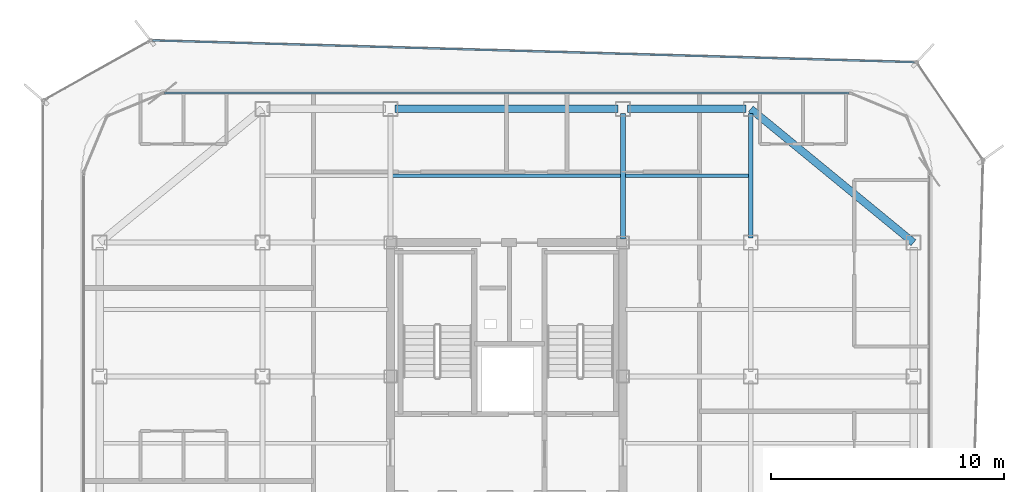
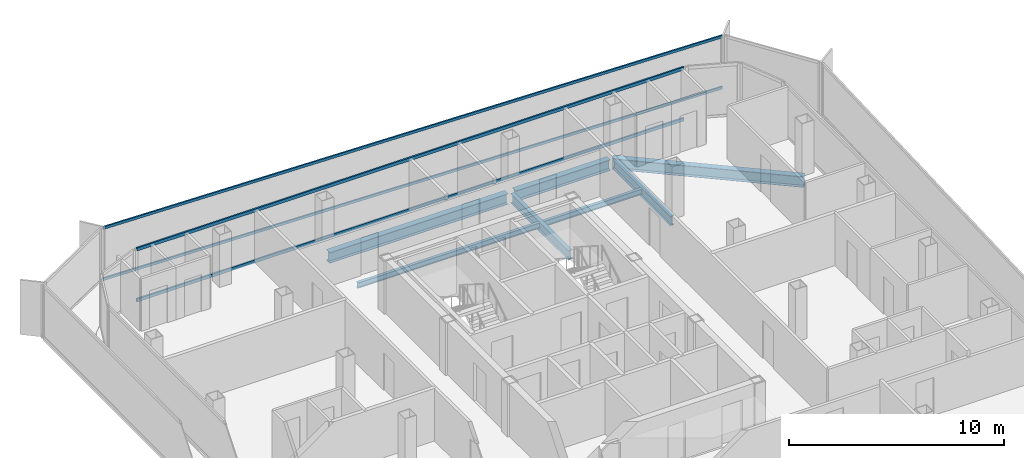
# One storey, part 7 of 14: 7 beams, 4 members, 2 elements without a shape of their own.
"""IFC4 building model written with IfcOpenShell, lengths in metres."""

from ifc_helpers import new_model, si_unit, direction, frame, origin, origin_2d, place, context, subcontext, project, spatial, hollow_rectangle, i_section, extrude, source, transform, mapped, material, layer, layer_set, material_profile, profile_set, type_object, element, aggregate, save


model = new_model("IFC4")

# Units and contexts
model_context = context("Model", 3, precision=1e-05, world=origin(), true_north=direction((0.0, 1.0)))
body_context = subcontext(model_context, "Body", "Model", "MODEL_VIEW")
ifc_project = project(units=[si_unit("LENGTHUNIT", "METRE"), si_unit("AREAUNIT", "SQUARE_METRE"), si_unit("VOLUMEUNIT", "CUBIC_METRE"), si_unit("PLANEANGLEUNIT", "RADIAN"), si_unit("MASSUNIT", "GRAM", prefix="KILO")], contexts=[model_context])

# Site, building, storey
site_placement = place(None, origin())
site = spatial("IfcSite", under=ifc_project, at=site_placement, CompositionType="ELEMENT")
building_placement = place(site_placement, origin())
building = spatial("IfcBuilding", under=site, at=building_placement, Name="Kolveth Station Tower", CompositionType="ELEMENT")
storey_placement = place(building_placement, frame((0.0, 0.0, 226.5)))
storey = spatial("IfcBuildingStorey", under=building, at=storey_placement, Name="L64", CompositionType="ELEMENT", Elevation=226.5)

# Beams
ifc_material_1 = material(Name="Steel S355", Category="steel")
ifc_material_profile_1 = material_profile(ifc_material_1, i_section(OverallWidth=0.323974609375, OverallDepth=0.611083984375, WebThickness=0.0126953125, FlangeThickness=0.01904296875, at=origin_2d()), Name="W610x155")
ifc_profile_set_1 = profile_set([ifc_material_profile_1], Name="Steel S355")
beam_type_1 = type_object("IfcBeamType", Name="Beam_SP2", PredefinedType="SPANDREL", material=ifc_profile_set_1)
shared_shape_1 = source(origin(), body_context, "Body", "SweptSolid", [
    extrude(i_section(OverallWidth=0.323974609375, OverallDepth=0.611083984375, WebThickness=0.0126953125, FlangeThickness=0.01904296875, at=origin_2d()), origin(), (0.0, 0.0, 1.0), 9.058837890625),
])
beam_1_placement = place(storey_placement, frame((41.0, 28.75, -0.525390625), z_axis=(-0.772726254525, 0.63473942336, 0.0), x_axis=(-0.63473942336, -0.772726254525, 0.0)))
element("IfcBeam", 1, at=beam_1_placement, inside=storey, type_object=beam_type_1, Name="L64 Corner Edge Girder BM-L64-CNR-NE", PredefinedType="SPANDREL", context=body_context, shape_type="MappedRepresentation", body=[
    mapped(shared_shape_1, transform((0.0, 0.0, 0.0), x_axis=(1.0, 0.0, 0.0), y_axis=(0.0, 1.0, 0.0), z_axis=(0.0, 0.0, 1.0), scale=1.0)),
])
shared_shape_2 = source(origin(), body_context, "Body", "SweptSolid", [
    extrude(i_section(OverallWidth=0.323974609375, OverallDepth=0.611083984375, WebThickness=0.0126953125, FlangeThickness=0.01904296875, at=origin_2d()), origin(), (0.0, 0.0, 1.0), 5.10009765625),
])
beam_2_placement = place(storey_placement, frame((28.699951171875, 34.5, -0.525390625), z_axis=(1.0, 0.0, 0.0), x_axis=(0.0, 1.0, 0.0)))
element("IfcBeam", 2, at=beam_2_placement, inside=storey, type_object=beam_type_1, Name="L64 Perimeter Spandrel BM-L64-PN-3", PredefinedType="SPANDREL", context=body_context, shape_type="MappedRepresentation", body=[
    mapped(shared_shape_2, transform((0.0, 0.0, 0.0), x_axis=(1.0, 0.0, 0.0), y_axis=(0.0, 1.0, 0.0), z_axis=(0.0, 0.0, 1.0), scale=1.0)),
])
shared_shape_3 = source(origin(), body_context, "Body", "SweptSolid", [
    extrude(i_section(OverallWidth=0.323974609375, OverallDepth=0.611083984375, WebThickness=0.0126953125, FlangeThickness=0.01904296875, at=origin_2d()), origin(), (0.0, 0.0, 1.0), 9.60009765625),
])
beam_3_placement = place(storey_placement, frame((18.699951171875, 34.5, -0.525390625), z_axis=(1.0, 0.0, 0.0), x_axis=(0.0, 1.0, 0.0)))
element("IfcBeam", 3, at=beam_3_placement, inside=storey, type_object=beam_type_1, Name="L64 Perimeter Spandrel BM-L64-PN-2", PredefinedType="SPANDREL", context=body_context, shape_type="MappedRepresentation", body=[
    mapped(shared_shape_3, transform((0.0, 0.0, 0.0), x_axis=(1.0, 0.0, 0.0), y_axis=(0.0, 1.0, 0.0), z_axis=(0.0, 0.0, 1.0), scale=1.0)),
])
ifc_material_profile_2 = material_profile(ifc_material_1, i_section(OverallWidth=0.2099609375, OverallDepth=0.537109375, WebThickness=0.010986328125, FlangeThickness=0.017333984375, at=origin_2d()), Name="W530x101")
ifc_profile_set_2 = profile_set([ifc_material_profile_2], Name="Steel S355")
beam_type_2 = type_object("IfcBeamType", Name="Beam_B6", PredefinedType="BEAM", material=ifc_profile_set_2)
shared_shape_4 = source(origin(), body_context, "Body", "SweptSolid", [
    extrude(i_section(OverallWidth=0.2099609375, OverallDepth=0.537109375, WebThickness=0.010986328125, FlangeThickness=0.017333984375, at=origin_2d()), origin(), (0.0, 0.0, 1.0), 5.35009765625),
])
beam_4_placement = place(storey_placement, frame((34.0, 28.949951171875, -0.488525390625), z_axis=(0.0, 1.0, 0.0), x_axis=(-1.0, 0.0, 0.0)))
element("IfcBeam", 4, at=beam_4_placement, inside=storey, type_object=beam_type_2, Name="L64 Primary Girder BM-L64-GX340-6", PredefinedType="BEAM", context=body_context, shape_type="MappedRepresentation", body=[
    mapped(shared_shape_4, transform((0.0, 0.0, 0.0), x_axis=(1.0, 0.0, 0.0), y_axis=(0.0, 1.0, 0.0), z_axis=(0.0, 0.0, 1.0), scale=1.0)),
])
shared_shape_5 = source(origin(), body_context, "Body", "SweptSolid", [
    extrude(i_section(OverallWidth=0.2099609375, OverallDepth=0.537109375, WebThickness=0.010986328125, FlangeThickness=0.017333984375, at=origin_2d()), origin(), (0.0, 0.0, 1.0), 5.39013671875),
])
beam_5_placement = place(storey_placement, frame((28.5, 28.909912109375, -0.488525390625), z_axis=(0.0, 1.0, 0.0), x_axis=(-1.0, 0.0, 0.0)))
element("IfcBeam", 5, at=beam_5_placement, inside=storey, type_object=beam_type_2, Name="L64 Primary Girder BM-L64-GX285-6", PredefinedType="BEAM", context=body_context, shape_type="MappedRepresentation", body=[
    mapped(shared_shape_5, transform((0.0, 0.0, 0.0), x_axis=(1.0, 0.0, 0.0), y_axis=(0.0, 1.0, 0.0), z_axis=(0.0, 0.0, 1.0), scale=1.0)),
])
ifc_material_profile_3 = material_profile(ifc_material_1, i_section(OverallWidth=0.1650390625, OverallDepth=0.31005859375, WebThickness=0.005859375, FlangeThickness=0.009765625, at=origin_2d()), Name="W310x39")
ifc_profile_set_3 = profile_set([ifc_material_profile_3], Name="Steel S355")
beam_type_3 = type_object("IfcBeamType", Name="Beam_J3", PredefinedType="JOIST", material=ifc_profile_set_3)
shared_shape_6 = source(origin(), body_context, "Body", "SweptSolid", [
    extrude(i_section(OverallWidth=0.1650390625, OverallDepth=0.31005859375, WebThickness=0.005859375, FlangeThickness=0.009765625, at=origin_2d()), origin(), (0.0, 0.0, 1.0), 5.2939453125),
])
beam_6_placement = place(storey_placement, frame((28.60302734375, 31.625, -0.375), z_axis=(1.0, 0.0, 0.0), x_axis=(0.0, 1.0, 0.0)))
element("IfcBeam", 6, at=beam_6_placement, inside=storey, type_object=beam_type_3, Name="L64 Secondary Joist JST-L64-4-6", PredefinedType="JOIST", context=body_context, shape_type="MappedRepresentation", body=[
    mapped(shared_shape_6, transform((0.0, 0.0, 0.0), x_axis=(1.0, 0.0, 0.0), y_axis=(0.0, 1.0, 0.0), z_axis=(0.0, 0.0, 1.0), scale=1.0)),
])
shared_shape_7 = source(origin(), body_context, "Body", "SweptSolid", [
    extrude(i_section(OverallWidth=0.1650390625, OverallDepth=0.31005859375, WebThickness=0.005859375, FlangeThickness=0.009765625, at=origin_2d()), origin(), (0.0, 0.0, 1.0), 9.7939453125),
])
beam_7_placement = place(storey_placement, frame((18.60302734375, 31.625, -0.375), z_axis=(1.0, 0.0, 0.0), x_axis=(0.0, 1.0, 0.0)))
element("IfcBeam", 7, at=beam_7_placement, inside=storey, type_object=beam_type_3, Name="L64 Secondary Joist JST-L64-3-6", PredefinedType="JOIST", context=body_context, shape_type="MappedRepresentation", body=[
    mapped(shared_shape_7, transform((0.0, 0.0, 0.0), x_axis=(1.0, 0.0, 0.0), y_axis=(0.0, 1.0, 0.0), z_axis=(0.0, 0.0, 1.0), scale=1.0)),
])

# Curtain wall, members
ifc_material_2 = material(Name="Aluminium 6063-T6 and triple low-E dark glass", Category="aluminium")
ifc_layer_1 = layer(ifc_material_2, 0.199951171875)
ifc_layer_set_1 = layer_set([ifc_layer_1], Name="Aluminium 6063-T6 and triple low-E dark glass")
curtain_wall_type_1 = type_object("IfcCurtainWallType", Name="CurtainWall_CW-Z3", PredefinedType="NOTDEFINED", material=ifc_layer_set_1)
curtain_wall_1_placement = place(storey_placement, origin())
curtain_wall_1 = element("IfcCurtainWall", 8, at=curtain_wall_1_placement, inside=storey, type_object=curtain_wall_type_1, Name="L64 Inner Thermal Curtain Wall 6", PredefinedType="NOTDEFINED")
ifc_material_3 = material(Name="Black anodized aluminium 6063-T6", Category="aluminium")
ifc_material_profile_4 = material_profile(ifc_material_3, hollow_rectangle(XDim=0.0849609375, YDim=0.179931640625, WallThickness=0.0048828125, at=origin_2d()), Name="ALU-85x180x5")
ifc_profile_set_4 = profile_set([ifc_material_profile_4], Name="Black anodized aluminium 6063-T6")
member_type_1 = type_object("IfcMemberType", Name="Transom_TR3", PredefinedType="USERDEFINED", material=ifc_profile_set_4)
shared_shape_8 = source(origin(), body_context, "Body", "SweptSolid", [
    extrude(hollow_rectangle(XDim=0.0849609375, YDim=0.179931640625, WallThickness=0.0048828125, at=origin_2d()), origin(), (0.0, 0.0, 1.0), 29.43017578125),
])
member_1_placement = place(storey_placement, frame((38.215087890625, 35.179931640625, 0.04248046875), z_axis=(-1.0, 0.0, 0.0), x_axis=(0.0, -1.0, 0.0)))
member_1 = element("IfcMember", 9, at=member_1_placement, type_object=member_type_1, Name="CW-Z3 transom 1.1", ObjectType="TRANSOM", PredefinedType="USERDEFINED", context=body_context, shape_type="MappedRepresentation", body=[
    mapped(shared_shape_8, transform((0.0, 0.0, 0.0), x_axis=(1.0, 0.0, 0.0), y_axis=(0.0, 1.0, 0.0), z_axis=(0.0, 0.0, 1.0), scale=1.0)),
])
member_2_placement = place(storey_placement, frame((38.215087890625, 35.179931640625, 2.9375), z_axis=(-1.0, 0.0, 0.0), x_axis=(0.0, -1.0, 0.0)))
member_2 = element("IfcMember", 10, at=member_2_placement, type_object=member_type_1, Name="CW-Z3 transom 1.2", ObjectType="TRANSOM", PredefinedType="USERDEFINED", context=body_context, shape_type="MappedRepresentation", body=[
    mapped(shared_shape_8, transform((0.0, 0.0, 0.0), x_axis=(1.0, 0.0, 0.0), y_axis=(0.0, 1.0, 0.0), z_axis=(0.0, 0.0, 1.0), scale=1.0)),
])
aggregate(curtain_wall_1, [member_1, member_2])

ifc_material_4 = material(Name="Black anodized aluminium 6063-T6 and dark solar glass", Category="aluminium")
ifc_layer_2 = layer(ifc_material_4, 0.159912109375)
ifc_layer_set_2 = layer_set([ifc_layer_2], Name="Black anodized aluminium 6063-T6 and dark solar glass")
curtain_wall_type_2 = type_object("IfcCurtainWallType", Name="OUTER SKIN CW-OS", PredefinedType="NOTDEFINED", material=ifc_layer_set_2)
curtain_wall_2_placement = place(storey_placement, origin())
curtain_wall_2 = element("IfcCurtainWall", 11, at=curtain_wall_2_placement, inside=storey, type_object=curtain_wall_type_2, Name="L64 Outer Ventilated Skin Curtain Wall 4", PredefinedType="NOTDEFINED")
ifc_material_profile_5 = material_profile(ifc_material_3, hollow_rectangle(XDim=0.080078125, YDim=0.14990234375, WallThickness=0.0048828125, at=origin_2d()), Name="ALU-80x150x5")
ifc_profile_set_5 = profile_set([ifc_material_profile_5], Name="Black anodized aluminium 6063-T6")
member_type_2 = type_object("IfcMemberType", Name="Transom_TR-OS", PredefinedType="USERDEFINED", material=ifc_profile_set_5)
shared_shape_9 = source(origin(), body_context, "Body", "SweptSolid", [
    extrude(hollow_rectangle(XDim=0.080078125, YDim=0.14990234375, WallThickness=0.0048828125, at=origin_2d()), origin(), (0.0, 0.0, 1.0), 32.780029296875),
])
member_3_placement = place(storey_placement, frame((41.045166015625, 36.509521484375, 0.0400390625), z_axis=(-0.999592007483, 0.02856253799, 0.0), x_axis=(-0.02856253799, -0.999592007483, 0.0)))
member_3 = element("IfcMember", 12, at=member_3_placement, type_object=member_type_2, Name="CW-OS transom 1.1", ObjectType="TRANSOM", PredefinedType="USERDEFINED", context=body_context, shape_type="MappedRepresentation", body=[
    mapped(shared_shape_9, transform((0.0, 0.0, 0.0), x_axis=(1.0, 0.0, 0.0), y_axis=(0.0, 1.0, 0.0), z_axis=(0.0, 0.0, 1.0), scale=1.0)),
])
member_4_placement = place(storey_placement, frame((41.045166015625, 36.509521484375, 2.949951171875), z_axis=(-0.999592007483, 0.02856253799, 0.0), x_axis=(-0.02856253799, -0.999592007483, 0.0)))
member_4 = element("IfcMember", 13, at=member_4_placement, type_object=member_type_2, Name="CW-OS transom 1.2", ObjectType="TRANSOM", PredefinedType="USERDEFINED", context=body_context, shape_type="MappedRepresentation", body=[
    mapped(shared_shape_9, transform((0.0, 0.0, 0.0), x_axis=(1.0, 0.0, 0.0), y_axis=(0.0, 1.0, 0.0), z_axis=(0.0, 0.0, 1.0), scale=1.0)),
])
aggregate(curtain_wall_2, [member_3, member_4])

save(model, "model.ifc")
